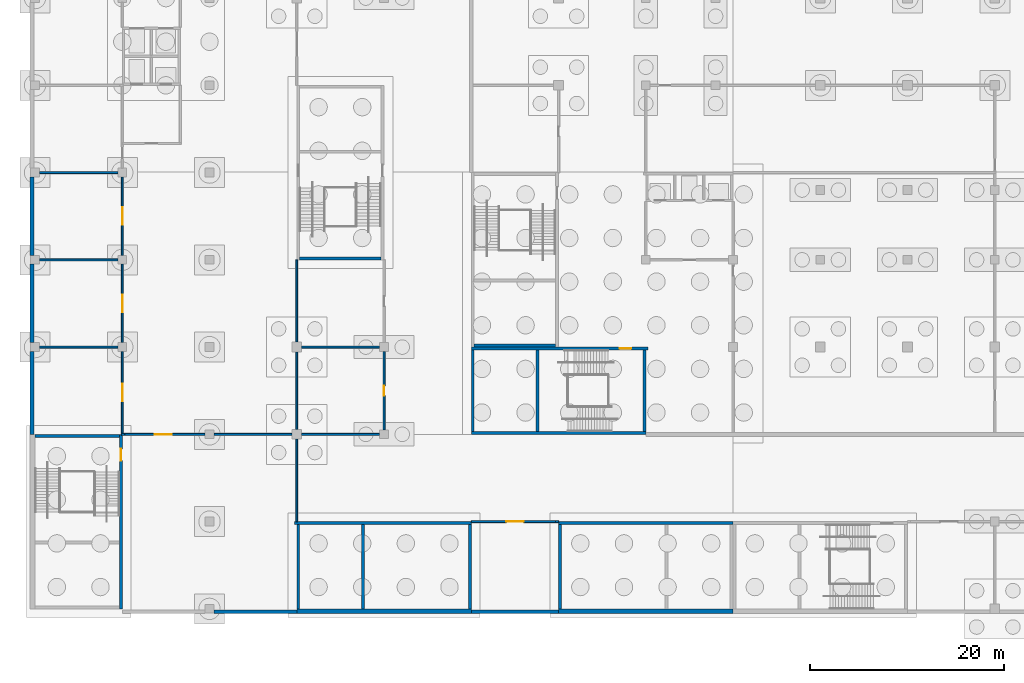
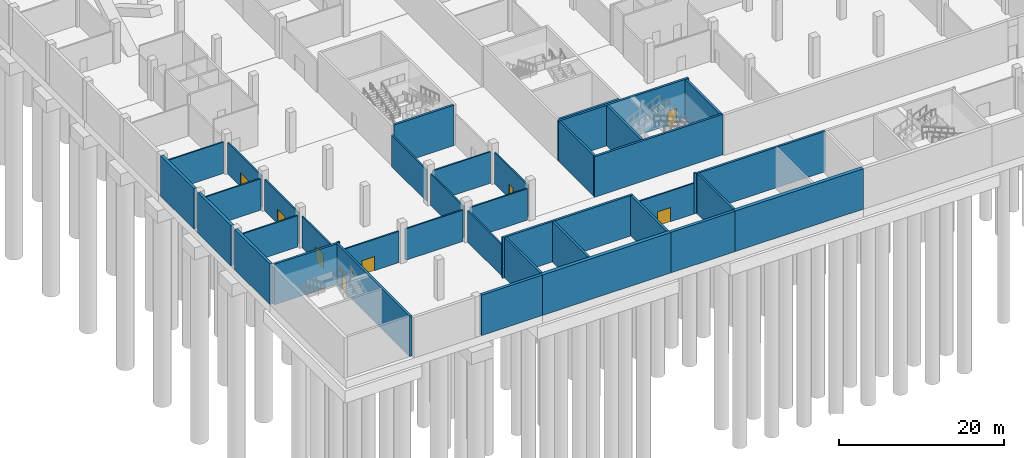
# One storey, part 8 of 42: 39 walls, 8 doors, 8 openings.
"""IFC4 building model written with IfcOpenShell, lengths in metres."""

from ifc_helpers import new_model, si_unit, direction, frame, frame_2d, origin, place, context, subcontext, project, spatial, rectangle, extrude, material, layer, layer_set, type_object, element, fill, save


model = new_model("IFC4")

# Units and contexts
model_context = context("Model", 3, precision=1e-05, world=origin(), true_north=direction((0.0, 1.0)))
body_context = subcontext(model_context, "Body", "Model", "MODEL_VIEW")
ifc_project = project(units=[si_unit("LENGTHUNIT", "METRE"), si_unit("AREAUNIT", "SQUARE_METRE"), si_unit("VOLUMEUNIT", "CUBIC_METRE"), si_unit("PLANEANGLEUNIT", "RADIAN"), si_unit("MASSUNIT", "GRAM", prefix="KILO")], contexts=[model_context])

# Site, building, storey
site_placement = place(None, origin())
site = spatial("IfcSite", under=ifc_project, at=site_placement, CompositionType="ELEMENT")
building_placement = place(site_placement, origin())
building = spatial("IfcBuilding", under=site, at=building_placement, Name="Silverbay Arena", CompositionType="ELEMENT")
storey_placement = place(building_placement, frame((0.0, 0.0, -6.0)))
storey = spatial("IfcBuildingStorey", under=building, at=storey_placement, Name="B1", CompositionType="ELEMENT", Elevation=-6.0)

# Walls
ifc_material_1 = material(Name="Concrete Grade C45", Category="concrete")
ifc_layer_1 = layer(ifc_material_1, 0.39990234375)
ifc_layer_set_1 = layer_set([ifc_layer_1], Name="Concrete Grade C45")
wall_type_1 = type_object("IfcWallType", Name="Basement perimeter wall 400", PredefinedType="SOLIDWALL", material=ifc_layer_set_1)
wall_1_placement = place(storey_placement, frame((45.449951171875, 17.699951171875, 0.0), z_axis=(0.0, 0.0, 1.0), x_axis=(1.0, 0.0, 0.0)))
element("IfcWall", 1, at=wall_1_placement, inside=storey, type_object=wall_type_1, Name="South external wall B1 bay 3", PredefinedType="SOLIDWALL", context=body_context, shape_type="SweptSolid", body=[
    extrude(rectangle(XDim=8.550048828125, YDim=0.39990234375, at=frame_2d((4.27490234375, 0.0))), origin(), (0.0, 0.0, 1.0), 6.0),
])
wall_2_placement = place(storey_placement, frame((72.0, 17.699951171875, 0.0), z_axis=(0.0, 0.0, 1.0), x_axis=(1.0, 0.0, 0.0)))
element("IfcWall", 2, at=wall_2_placement, inside=storey, type_object=wall_type_1, Name="South external wall B1 bay 6", PredefinedType="SOLIDWALL", context=body_context, shape_type="SweptSolid", body=[
    extrude(rectangle(XDim=9.0, YDim=0.39990234375, at=frame_2d((4.5, 0.0))), origin(), (0.0, 0.0, 1.0), 6.0),
])
wall_3_placement = place(storey_placement, frame((26.699951171875, 44.550048828125, 0.0), z_axis=(0.0, 0.0, 1.0), x_axis=(0.0, -1.0, 0.0)))
element("IfcWall", 3, at=wall_3_placement, inside=storey, type_object=wall_type_1, Name="West external wall B1 bay 3", PredefinedType="SOLIDWALL", context=body_context, shape_type="SweptSolid", body=[
    extrude(rectangle(XDim=8.550048828125, YDim=0.39990234375, at=frame_2d((4.27490234375, 0.0))), origin(), (0.0, 0.0, 1.0), 6.0),
])
for number, where, z_axis, x_axis, name in (
    (4, (26.699951171875, 53.550048828125, 0.0), (0.0, 0.0, 1.0), (0.0, -1.0, 0.0), "West external wall B1 bay 4"),
    (5, (26.699951171875, 62.550048828125, 0.0), (0.0, 0.0, 1.0), (0.0, -1.0, 0.0), "West external wall B1 bay 5"),
):
    element("IfcWall", number, at=place(storey_placement, frame(where, z_axis=z_axis, x_axis=x_axis)), inside=storey, type_object=wall_type_1, Name=name, PredefinedType="SOLIDWALL", context=body_context, shape_type="SweptSolid", body=[
        extrude(rectangle(XDim=8.10009765625, YDim=0.39990234375, at=frame_2d((4.050048828125, 0.0))), origin(), (0.0, 0.0, 1.0), 6.0),
    ])
ifc_material_2 = material(Name="Concrete Grade C45", Category="concrete")
ifc_layer_2 = layer(ifc_material_2, 0.300048828125)
ifc_layer_set_2 = layer_set([ifc_layer_2], Name="Concrete Grade C45")
wall_type_2 = type_object("IfcWallType", Name="Core wall RC 300 EI 240", PredefinedType="SHEAR", material=ifc_layer_set_2)
wall_4_placement = place(storey_placement, frame((81.0, 26.85009765625, 0.0), z_axis=(0.0, 0.0, 1.0), x_axis=(1.0, 0.0, 0.0)))
element("IfcWall", 6, at=wall_4_placement, inside=storey, type_object=wall_type_2, Name="Core wall ST-S1 B1 door side", PredefinedType="SHEAR", context=body_context, shape_type="SweptSolid", body=[
    extrude(rectangle(XDim=18.0, YDim=0.300048828125, at=frame_2d((9.0, 0.0))), origin(), (0.0, 0.0, 1.0), 6.0),
])
wall_5_placement = place(storey_placement, frame((81.14990234375, 26.699951171875, 0.0), z_axis=(0.0, 0.0, 1.0), x_axis=(0.0, -1.0, 0.0)))
element("IfcWall", 7, at=wall_5_placement, inside=storey, type_object=wall_type_2, Name="Core wall ST-S1 B1 end 1", PredefinedType="SHEAR", context=body_context, shape_type="SweptSolid", body=[
    extrude(rectangle(XDim=8.699951171875, YDim=0.300048828125, at=frame_2d((4.35009765625, 0.0))), origin(), (0.0, 0.0, 1.0), 6.0),
])
wall_6_placement = place(storey_placement, frame((72.0, 26.85009765625, 0.0), z_axis=(0.0, 0.0, 1.0), x_axis=(-1.0, 0.0, 0.0)))
element("IfcWall", 8, at=wall_6_placement, inside=storey, type_object=wall_type_2, Name="Core wall ST-S5 B1 door side", PredefinedType="SHEAR", context=body_context, shape_type="SweptSolid", body=[
    extrude(rectangle(XDim=18.25, YDim=0.300048828125, at=frame_2d((9.125, 0.0))), origin(), (0.0, 0.0, 1.0), 6.0),
])
for number, where, z_axis, x_axis, name in (
    (9, (71.85009765625, 26.699951171875, 0.0), (0.0, 0.0, 1.0), (0.0, -1.0, 0.0), "Core wall ST-S5 B1 end 1"),
    (10, (54.14990234375, 26.699951171875, 0.0), (0.0, 0.0, 1.0), (0.0, -1.0, 0.0), "Core wall ST-S5 B1 end 2"),
    (11, (60.85009765625, 26.699951171875, 0.0), (0.0, 0.0, 1.0), (0.0, -1.0, 0.0), "Core wall ST-S5 B1 stair enclosure"),
):
    element("IfcWall", number, at=place(storey_placement, frame(where, z_axis=z_axis, x_axis=x_axis)), inside=storey, type_object=wall_type_2, Name=name, PredefinedType="SHEAR", context=body_context, shape_type="SweptSolid", body=[
        extrude(rectangle(XDim=8.699951171875, YDim=0.300048828125, at=frame_2d((4.35009765625, 0.0))), origin(), (0.0, 0.0, 1.0), 6.0),
    ])
wall_7_placement = place(storey_placement, frame((62.699951171875, 54.14990234375, 0.0), z_axis=(0.0, 0.0, 1.0), x_axis=(-1.0, 0.0, 0.0)))
element("IfcWall", 12, at=wall_7_placement, inside=storey, type_object=wall_type_2, Name="Core wall ST-W1 B1 end 1", PredefinedType="SHEAR", context=body_context, shape_type="SweptSolid", body=[
    extrude(rectangle(XDim=8.39990234375, YDim=0.300048828125, at=frame_2d((4.199951171875, 0.0))), origin(), (0.0, 0.0, 1.0), 6.0),
])

# Wall, opening, door
wall_8_placement = place(storey_placement, frame((90.25, 44.85009765625, 0.0), z_axis=(0.0, 0.0, 1.0), x_axis=(-1.0, 0.0, 0.0)))
wall_8 = element("IfcWall", 13, at=wall_8_placement, inside=storey, type_object=wall_type_2, Name="Core wall ST-SW1 B1 door side", PredefinedType="SHEAR", context=body_context, shape_type="SweptSolid", body=[
    extrude(rectangle(XDim=18.25, YDim=0.300048828125, at=frame_2d((9.125, 0.0))), origin(), (0.0, 0.0, 1.0), 6.0),
])
opening_1_placement = place(wall_8_placement, frame((1.75, 0.0, 0.0)))
opening_1 = element("IfcOpeningElement", 14, at=opening_1_placement, cuts=wall_8, Name="Opening B1-088", PredefinedType="OPENING", context=body_context, shape_type="SweptSolid", body=[
    extrude(rectangle(XDim=1.199951171875, YDim=2.10009765625, at=frame_2d((0.60009765625, 1.050048828125))), frame((0.0, 0.16015625, 0.0), z_axis=(0.0, -1.0, 0.0), x_axis=(1.0, 0.0, 0.0)), (0.0, 0.0, 1.0), 0.320068359375),
])
ifc_material_3 = material(Name="Steel fire door", Category="steel")
door_type_1 = type_object("IfcDoorType", Name="Stair door 1200 x 2100 fire door", OperationType="SINGLE_SWING_LEFT", PredefinedType="DOOR", material=ifc_material_3)
door_1_placement = place(opening_1_placement, origin())
door_1 = element("IfcDoor", 15, at=door_1_placement, inside=storey, type_object=door_type_1, Name="Stair door ST-SW1 B1", OperationType="SINGLE_SWING_LEFT", OverallHeight=2.10009765625, OverallWidth=1.199951171875, PredefinedType="DOOR", context=body_context, shape_type="SweptSolid", body=[
    extrude(rectangle(XDim=1.199951171875, YDim=2.10009765625, at=frame_2d((0.60009765625, 1.050048828125))), frame((0.0, 0.02490234375, 0.0), z_axis=(0.0, -1.0, 0.0), x_axis=(1.0, 0.0, 0.0)), (0.0, 0.0, 1.0), 0.050048828125),
])
fill(opening_1, door_1)

# Walls
wall_9_placement = place(storey_placement, frame((90.0, 36.14990234375, 0.0), z_axis=(0.0, 0.0, 1.0), x_axis=(-1.0, 0.0, 0.0)))
element("IfcWall", 16, at=wall_9_placement, inside=storey, type_object=wall_type_2, Name="Core wall ST-SW1 B1 far side", PredefinedType="SHEAR", context=body_context, shape_type="SweptSolid", body=[
    extrude(rectangle(XDim=18.0, YDim=0.300048828125, at=frame_2d((9.0, 0.0))), origin(), (0.0, 0.0, 1.0), 6.0),
])
for number, where, z_axis, x_axis, name in (
    (17, (89.85009765625, 44.699951171875, 0.0), (0.0, 0.0, 1.0), (0.0, -1.0, 0.0), "Core wall ST-SW1 B1 end 1"),
    (18, (72.14990234375, 44.699951171875, 0.0), (0.0, 0.0, 1.0), (0.0, -1.0, 0.0), "Core wall ST-SW1 B1 end 2"),
    (19, (78.85009765625, 44.699951171875, 0.0), (0.0, 0.0, 1.0), (0.0, -1.0, 0.0), "Core wall ST-SW1 B1 stair enclosure"),
    (20, (80.699951171875, 45.14990234375, 0.0), (0.0, 0.0, 1.0), (-1.0, 0.0, 0.0), "Core wall ST-SW2 B1 end 2"),
):
    element("IfcWall", number, at=place(storey_placement, frame(where, z_axis=z_axis, x_axis=x_axis)), inside=storey, type_object=wall_type_2, Name=name, PredefinedType="SHEAR", context=body_context, shape_type="SweptSolid", body=[
        extrude(rectangle(XDim=8.39990234375, YDim=0.300048828125, at=frame_2d((4.199951171875, 0.0))), origin(), (0.0, 0.0, 1.0), 6.0),
    ])

# Wall, opening, door
wall_10_placement = place(storey_placement, frame((35.85009765625, 36.0, 0.0), z_axis=(0.0, 0.0, 1.0), x_axis=(0.0, -1.0, 0.0)))
wall_10 = element("IfcWall", 21, at=wall_10_placement, inside=storey, type_object=wall_type_2, Name="Core wall ST-WG1 B1 door side", PredefinedType="SHEAR", context=body_context, shape_type="SweptSolid", body=[
    extrude(rectangle(XDim=18.0, YDim=0.300048828125, at=frame_2d((9.0, 0.0))), origin(), (0.0, 0.0, 1.0), 6.0),
])
opening_2_placement = place(wall_10_placement, frame((1.5, 0.0, 0.0)))
opening_2 = element("IfcOpeningElement", 22, at=opening_2_placement, cuts=wall_10, Name="Opening B1-096", PredefinedType="OPENING", context=body_context, shape_type="SweptSolid", body=[
    extrude(rectangle(XDim=1.199951171875, YDim=2.10009765625, at=frame_2d((0.60009765625, 1.050048828125))), frame((0.0, 0.16015625, 0.0), z_axis=(0.0, -1.0, 0.0), x_axis=(1.0, 0.0, 0.0)), (0.0, 0.0, 1.0), 0.320068359375),
])
door_2_placement = place(opening_2_placement, frame((1.199951171875, 0.0, 0.0), z_axis=(0.0, 0.0, 1.0), x_axis=(-1.0, 0.0, 0.0)))
door_2 = element("IfcDoor", 23, at=door_2_placement, inside=storey, type_object=door_type_1, Name="Stair door ST-WG1 B1", OperationType="SINGLE_SWING_RIGHT", OverallHeight=2.10009765625, OverallWidth=1.199951171875, PredefinedType="DOOR", context=body_context, shape_type="SweptSolid", body=[
    extrude(rectangle(XDim=1.199951171875, YDim=2.10009765625, at=frame_2d((0.60009765625, 1.050048828125))), frame((0.0, 0.02490234375, 0.0), z_axis=(0.0, -1.0, 0.0), x_axis=(1.0, 0.0, 0.0)), (0.0, 0.0, 1.0), 0.050048828125),
])
fill(opening_2, door_2)

# Walls
wall_11_placement = place(storey_placement, frame((35.699951171875, 35.85009765625, 0.0), z_axis=(0.0, 0.0, 1.0), x_axis=(-1.0, 0.0, 0.0)))
element("IfcWall", 24, at=wall_11_placement, inside=storey, type_object=wall_type_2, Name="Core wall ST-WG1 B1 end 1", PredefinedType="SHEAR", context=body_context, shape_type="SweptSolid", body=[
    extrude(rectangle(XDim=8.699951171875, YDim=0.300048828125, at=frame_2d((4.35009765625, 0.0))), origin(), (0.0, 0.0, 1.0), 6.0),
])
ifc_material_4 = material(Name="Concrete Grade C45", Category="concrete")
ifc_layer_3 = layer(ifc_material_4, 0.5)
ifc_layer_set_3 = layer_set([ifc_layer_3], Name="Concrete Grade C45")
wall_type_3 = type_object("IfcWallType", Name="Core wall RC 500 external EI 240", PredefinedType="SHEAR", material=ifc_layer_set_3)
for number, where, z_axis, x_axis, name in (
    (25, (81.0, 17.75, 0.0), (0.0, 0.0, 1.0), (1.0, 0.0, 0.0), "Core wall ST-S1 B1 facade side"),
    (26, (72.0, 17.75, 0.0), (0.0, 0.0, 1.0), (-1.0, 0.0, 0.0), "Core wall ST-S5 B1 facade side"),
):
    element("IfcWall", number, at=place(storey_placement, frame(where, z_axis=z_axis, x_axis=x_axis)), inside=storey, type_object=wall_type_3, Name=name, PredefinedType="SHEAR", context=body_context, shape_type="SweptSolid", body=[
        extrude(rectangle(XDim=18.0, YDim=0.5, at=frame_2d((9.0, 0.0))), origin(), (0.0, 0.0, 1.0), 6.0),
    ])

# Wall, opening, door
ifc_material_5 = material(Name="Masonry blockwork partition", Category="masonry")
ifc_layer_4 = layer(ifc_material_5, 0.199951171875)
ifc_layer_set_4 = layer_set([ifc_layer_4], Name="Masonry blockwork partition")
wall_type_4 = type_object("IfcWallType", Name="Partition 200 EI 240", PredefinedType="PARTITIONING", material=ifc_layer_set_4)
wall_12_placement = place(storey_placement, frame((72.0, 27.0, 0.0), z_axis=(0.0, 0.0, 1.0), x_axis=(1.0, 0.0, 0.0)))
wall_12 = element("IfcWall", 27, at=wall_12_placement, inside=storey, type_object=wall_type_4, Name="Partition wall", PredefinedType="PARTITIONING", context=body_context, shape_type="SweptSolid", body=[
    extrude(rectangle(XDim=8.699951171875, YDim=0.199951171875, at=frame_2d((4.35009765625, 0.0))), origin(), (0.0, 0.0, 1.0), 4.550048828125),
])
opening_3_placement = place(wall_12_placement, frame((3.60009765625, 0.0, 0.0)))
opening_3 = element("IfcOpeningElement", 28, at=opening_3_placement, cuts=wall_12, Name="Opening B1-001", PredefinedType="OPENING", context=body_context, shape_type="SweptSolid", body=[
    extrude(rectangle(XDim=1.800048828125, YDim=2.10009765625, at=frame_2d((0.89990234375, 1.050048828125))), frame((0.0, 0.10986328125, 0.0), z_axis=(0.0, -1.0, 0.0), x_axis=(1.0, 0.0, 0.0)), (0.0, 0.0, 1.0), 0.219970703125),
])
ifc_material_6 = material(Name="Steel faced timber", Category="steel")
door_type_2 = type_object("IfcDoorType", Name="Double leaf door 1800 x 2100 FD120", OperationType="DOUBLE_DOOR_DOUBLE_SWING", PredefinedType="DOOR", material=ifc_material_6)
door_3_placement = place(opening_3_placement, frame((1.800048828125, 0.0, 0.0), z_axis=(0.0, 0.0, 1.0), x_axis=(-1.0, 0.0, 0.0)))
door_3 = element("IfcDoor", 29, at=door_3_placement, inside=storey, type_object=door_type_2, Name="Door B1-001", OperationType="DOUBLE_DOOR_DOUBLE_SWING", OverallHeight=2.10009765625, OverallWidth=1.800048828125, PredefinedType="DOOR", context=body_context, shape_type="SweptSolid", body=[
    extrude(rectangle(XDim=1.800048828125, YDim=2.10009765625, at=frame_2d((0.89990234375, 1.050048828125))), frame((0.0, 0.02490234375, 0.0), z_axis=(0.0, -1.0, 0.0), x_axis=(1.0, 0.0, 0.0)), (0.0, 0.0, 1.0), 0.050048828125),
])
fill(opening_3, door_3)

# Wall
wall_13_placement = place(storey_placement, frame((45.449951171875, 36.0, 0.0), z_axis=(0.0, 0.0, 1.0), x_axis=(1.0, 0.0, 0.0)))
element("IfcWall", 30, at=wall_13_placement, inside=storey, type_object=wall_type_4, Name="Partition wall", PredefinedType="PARTITIONING", context=body_context, shape_type="SweptSolid", body=[
    extrude(rectangle(XDim=8.050048828125, YDim=0.199951171875, at=frame_2d((4.02490234375, 0.0))), origin(), (0.0, 0.0, 1.0), 4.64990234375),
])

# Wall, opening, door
wall_14_placement = place(storey_placement, frame((36.25, 36.0, 0.0), z_axis=(0.0, 0.0, 1.0), x_axis=(1.0, 0.0, 0.0)))
wall_14 = element("IfcWall", 31, at=wall_14_placement, inside=storey, type_object=wall_type_4, Name="Partition wall", PredefinedType="PARTITIONING", context=body_context, shape_type="SweptSolid", body=[
    extrude(rectangle(XDim=8.300048828125, YDim=0.199951171875, at=frame_2d((4.14990234375, 0.0))), origin(), (0.0, 0.0, 1.0), 4.64990234375),
])
opening_4_placement = place(wall_14_placement, frame((3.074951171875, 0.0, 0.0)))
opening_4 = element("IfcOpeningElement", 32, at=opening_4_placement, cuts=wall_14, Name="Opening B1-060", PredefinedType="OPENING", context=body_context, shape_type="SweptSolid", body=[
    extrude(rectangle(XDim=1.800048828125, YDim=2.10009765625, at=frame_2d((0.89990234375, 1.050048828125))), frame((0.0, 0.10986328125, 0.0), z_axis=(0.0, -1.0, 0.0), x_axis=(1.0, 0.0, 0.0)), (0.0, 0.0, 1.0), 0.219970703125),
])
ifc_material_7 = material(Name="Steel faced timber", Category="steel")
door_type_3 = type_object("IfcDoorType", Name="Double leaf door 1800 x 2100 FD240", OperationType="DOUBLE_DOOR_DOUBLE_SWING", PredefinedType="DOOR", material=ifc_material_7)
door_4_placement = place(opening_4_placement, frame((1.800048828125, 0.0, 0.0), z_axis=(0.0, 0.0, 1.0), x_axis=(-1.0, 0.0, 0.0)))
door_4 = element("IfcDoor", 33, at=door_4_placement, inside=storey, type_object=door_type_3, Name="Door B1-060", OperationType="DOUBLE_DOOR_DOUBLE_SWING", OverallHeight=2.10009765625, OverallWidth=1.800048828125, PredefinedType="DOOR", context=body_context, shape_type="SweptSolid", body=[
    extrude(rectangle(XDim=1.800048828125, YDim=2.10009765625, at=frame_2d((0.89990234375, 1.050048828125))), frame((0.0, 0.02490234375, 0.0), z_axis=(0.0, -1.0, 0.0), x_axis=(1.0, 0.0, 0.0)), (0.0, 0.0, 1.0), 0.050048828125),
])
fill(opening_4, door_4)

# Walls
wall_15_placement = place(storey_placement, frame((54.5, 36.0, 0.0), z_axis=(0.0, 0.0, 1.0), x_axis=(1.0, 0.0, 0.0)))
element("IfcWall", 34, at=wall_15_placement, inside=storey, type_object=wall_type_4, Name="Partition wall", PredefinedType="PARTITIONING", context=body_context, shape_type="SweptSolid", body=[
    extrude(rectangle(XDim=8.050048828125, YDim=0.199951171875, at=frame_2d((4.02490234375, 0.0))), origin(), (0.0, 0.0, 1.0), 4.64990234375),
])
wall_16_placement = place(storey_placement, frame((27.449951171875, 45.0, 0.0), z_axis=(0.0, 0.0, 1.0), x_axis=(1.0, 0.0, 0.0)))
element("IfcWall", 35, at=wall_16_placement, inside=storey, type_object=wall_type_4, Name="Partition wall", PredefinedType="PARTITIONING", context=body_context, shape_type="SweptSolid", body=[
    extrude(rectangle(XDim=8.10009765625, YDim=0.199951171875, at=frame_2d((4.050048828125, 0.0))), origin(), (0.0, 0.0, 1.0), 4.64990234375),
])
wall_17_placement = place(storey_placement, frame((54.5, 45.0, 0.0), z_axis=(0.0, 0.0, 1.0), x_axis=(1.0, 0.0, 0.0)))
element("IfcWall", 36, at=wall_17_placement, inside=storey, type_object=wall_type_4, Name="Partition wall", PredefinedType="PARTITIONING", context=body_context, shape_type="SweptSolid", body=[
    extrude(rectangle(XDim=8.050048828125, YDim=0.199951171875, at=frame_2d((4.02490234375, 0.0))), origin(), (0.0, 0.0, 1.0), 4.64990234375),
])
for number, where, z_axis, x_axis, name in (
    (37, (27.449951171875, 54.0, 0.0), (0.0, 0.0, 1.0), (1.0, 0.0, 0.0), "Partition wall"),
    (38, (27.449951171875, 63.0, 0.0), (0.0, 0.0, 1.0), (1.0, 0.0, 0.0), "Partition wall"),
):
    element("IfcWall", number, at=place(storey_placement, frame(where, z_axis=z_axis, x_axis=x_axis)), inside=storey, type_object=wall_type_4, Name=name, PredefinedType="PARTITIONING", context=body_context, shape_type="SweptSolid", body=[
        extrude(rectangle(XDim=8.10009765625, YDim=0.199951171875, at=frame_2d((4.050048828125, 0.0))), origin(), (0.0, 0.0, 1.0), 4.64990234375),
    ])

# Wall, opening, door
wall_18_placement = place(storey_placement, frame((36.0, 36.10009765625, 0.0), z_axis=(0.0, 0.0, 1.0), x_axis=(0.0, 1.0, 0.0)))
wall_18 = element("IfcWall", 39, at=wall_18_placement, inside=storey, type_object=wall_type_4, Name="Partition wall", PredefinedType="PARTITIONING", context=body_context, shape_type="SweptSolid", body=[
    extrude(rectangle(XDim=8.449951171875, YDim=0.199951171875, at=frame_2d((4.22509765625, 0.0))), origin(), (0.0, 0.0, 1.0), 4.64990234375),
])
opening_5_placement = place(wall_18_placement, frame((3.324951171875, 0.0, 0.0)))
opening_5 = element("IfcOpeningElement", 40, at=opening_5_placement, cuts=wall_18, Name="Opening B1-021", PredefinedType="OPENING", context=body_context, shape_type="SweptSolid", body=[
    extrude(rectangle(XDim=1.800048828125, YDim=2.10009765625, at=frame_2d((0.89990234375, 1.050048828125))), frame((0.0, 0.10986328125, 0.0), z_axis=(0.0, -1.0, 0.0), x_axis=(1.0, 0.0, 0.0)), (0.0, 0.0, 1.0), 0.219970703125),
])
ifc_material_8 = material(Name="Steel faced timber", Category="steel")
door_type_4 = type_object("IfcDoorType", Name="Double leaf door 1800 x 2100 FD30S", OperationType="DOUBLE_DOOR_DOUBLE_SWING", PredefinedType="DOOR", material=ifc_material_8)
door_5_placement = place(opening_5_placement, origin())
door_5 = element("IfcDoor", 41, at=door_5_placement, inside=storey, type_object=door_type_4, Name="Door B1-021", OperationType="DOUBLE_DOOR_DOUBLE_SWING", OverallHeight=2.10009765625, OverallWidth=1.800048828125, PredefinedType="DOOR", context=body_context, shape_type="SweptSolid", body=[
    extrude(rectangle(XDim=1.800048828125, YDim=2.10009765625, at=frame_2d((0.89990234375, 1.050048828125))), frame((0.0, 0.02490234375, 0.0), z_axis=(0.0, -1.0, 0.0), x_axis=(1.0, 0.0, 0.0)), (0.0, 0.0, 1.0), 0.050048828125),
])
fill(opening_5, door_5)

wall_19_placement = place(storey_placement, frame((36.0, 45.449951171875, 0.0), z_axis=(0.0, 0.0, 1.0), x_axis=(0.0, 1.0, 0.0)))
wall_19 = element("IfcWall", 42, at=wall_19_placement, inside=storey, type_object=wall_type_4, Name="Partition wall", PredefinedType="PARTITIONING", context=body_context, shape_type="SweptSolid", body=[
    extrude(rectangle(XDim=8.10009765625, YDim=0.199951171875, at=frame_2d((4.050048828125, 0.0))), origin(), (0.0, 0.0, 1.0), 4.64990234375),
])
opening_6_placement = place(wall_19_placement, frame((3.14990234375, 0.0, 0.0)))
opening_6 = element("IfcOpeningElement", 43, at=opening_6_placement, cuts=wall_19, Name="Opening B1-022", PredefinedType="OPENING", context=body_context, shape_type="SweptSolid", body=[
    extrude(rectangle(XDim=1.800048828125, YDim=2.10009765625, at=frame_2d((0.89990234375, 1.050048828125))), frame((0.0, 0.10986328125, 0.0), z_axis=(0.0, -1.0, 0.0), x_axis=(1.0, 0.0, 0.0)), (0.0, 0.0, 1.0), 0.219970703125),
])
door_6_placement = place(opening_6_placement, origin())
door_6 = element("IfcDoor", 44, at=door_6_placement, inside=storey, type_object=door_type_4, Name="Door B1-022", OperationType="DOUBLE_DOOR_DOUBLE_SWING", OverallHeight=2.10009765625, OverallWidth=1.800048828125, PredefinedType="DOOR", context=body_context, shape_type="SweptSolid", body=[
    extrude(rectangle(XDim=1.800048828125, YDim=2.10009765625, at=frame_2d((0.89990234375, 1.050048828125))), frame((0.0, 0.02490234375, 0.0), z_axis=(0.0, -1.0, 0.0), x_axis=(1.0, 0.0, 0.0)), (0.0, 0.0, 1.0), 0.050048828125),
])
fill(opening_6, door_6)

wall_20_placement = place(storey_placement, frame((36.0, 54.449951171875, 0.0), z_axis=(0.0, 0.0, 1.0), x_axis=(0.0, 1.0, 0.0)))
wall_20 = element("IfcWall", 45, at=wall_20_placement, inside=storey, type_object=wall_type_4, Name="Partition wall", PredefinedType="PARTITIONING", context=body_context, shape_type="SweptSolid", body=[
    extrude(rectangle(XDim=8.10009765625, YDim=0.199951171875, at=frame_2d((4.050048828125, 0.0))), origin(), (0.0, 0.0, 1.0), 4.64990234375),
])
opening_7_placement = place(wall_20_placement, frame((3.14990234375, 0.0, 0.0)))
opening_7 = element("IfcOpeningElement", 46, at=opening_7_placement, cuts=wall_20, Name="Opening B1-023", PredefinedType="OPENING", context=body_context, shape_type="SweptSolid", body=[
    extrude(rectangle(XDim=1.800048828125, YDim=2.10009765625, at=frame_2d((0.89990234375, 1.050048828125))), frame((0.0, 0.10986328125, 0.0), z_axis=(0.0, -1.0, 0.0), x_axis=(1.0, 0.0, 0.0)), (0.0, 0.0, 1.0), 0.219970703125),
])
door_7_placement = place(opening_7_placement, origin())
door_7 = element("IfcDoor", 47, at=door_7_placement, inside=storey, type_object=door_type_4, Name="Door B1-023", OperationType="DOUBLE_DOOR_DOUBLE_SWING", OverallHeight=2.10009765625, OverallWidth=1.800048828125, PredefinedType="DOOR", context=body_context, shape_type="SweptSolid", body=[
    extrude(rectangle(XDim=1.800048828125, YDim=2.10009765625, at=frame_2d((0.89990234375, 1.050048828125))), frame((0.0, 0.02490234375, 0.0), z_axis=(0.0, -1.0, 0.0), x_axis=(1.0, 0.0, 0.0)), (0.0, 0.0, 1.0), 0.050048828125),
])
fill(opening_7, door_7)

# Walls
wall_21_placement = place(storey_placement, frame((54.0, 27.0, 0.0), z_axis=(0.0, 0.0, 1.0), x_axis=(0.0, 1.0, 0.0)))
element("IfcWall", 48, at=wall_21_placement, inside=storey, type_object=wall_type_4, Name="Partition wall", PredefinedType="PARTITIONING", context=body_context, shape_type="SweptSolid", body=[
    extrude(rectangle(XDim=8.5, YDim=0.199951171875, at=frame_2d((4.25, 0.0))), origin(), (0.0, 0.0, 1.0), 4.64990234375),
])
wall_22_placement = place(storey_placement, frame((54.0, 36.5, 0.0), z_axis=(0.0, 0.0, 1.0), x_axis=(0.0, 1.0, 0.0)))
element("IfcWall", 49, at=wall_22_placement, inside=storey, type_object=wall_type_4, Name="Partition wall", PredefinedType="PARTITIONING", context=body_context, shape_type="SweptSolid", body=[
    extrude(rectangle(XDim=8.0, YDim=0.199951171875, at=frame_2d((4.0, 0.0))), origin(), (0.0, 0.0, 1.0), 4.64990234375),
])
wall_23_placement = place(storey_placement, frame((54.0, 45.5, 0.0), z_axis=(0.0, 0.0, 1.0), x_axis=(0.0, 1.0, 0.0)))
element("IfcWall", 50, at=wall_23_placement, inside=storey, type_object=wall_type_4, Name="Partition wall", PredefinedType="PARTITIONING", context=body_context, shape_type="SweptSolid", body=[
    extrude(rectangle(XDim=8.5, YDim=0.199951171875, at=frame_2d((4.25, 0.0))), origin(), (0.0, 0.0, 1.0), 4.64990234375),
])

# Wall, opening, door
wall_24_placement = place(storey_placement, frame((63.0, 36.449951171875, 0.0), z_axis=(0.0, 0.0, 1.0), x_axis=(0.0, 1.0, 0.0)))
wall_24 = element("IfcWall", 51, at=wall_24_placement, inside=storey, type_object=wall_type_4, Name="Partition wall", PredefinedType="PARTITIONING", context=body_context, shape_type="SweptSolid", body=[
    extrude(rectangle(XDim=8.10009765625, YDim=0.199951171875, at=frame_2d((4.050048828125, 0.0))), origin(), (0.0, 0.0, 1.0), 4.64990234375),
])
opening_8_placement = place(wall_24_placement, frame((3.550048828125, 0.0, 0.0)))
opening_8 = element("IfcOpeningElement", 52, at=opening_8_placement, cuts=wall_24, Name="Opening B1-011", PredefinedType="OPENING", context=body_context, shape_type="SweptSolid", body=[
    extrude(rectangle(XDim=1.0, YDim=2.10009765625, at=frame_2d((0.5, 1.050048828125))), frame((0.0, 0.10986328125, 0.0), z_axis=(0.0, -1.0, 0.0), x_axis=(1.0, 0.0, 0.0)), (0.0, 0.0, 1.0), 0.219970703125),
])
ifc_material_9 = material(Name="Steel faced timber", Category="steel")
door_type_5 = type_object("IfcDoorType", Name="Single leaf door 1000 x 2100 FD30S", OperationType="SINGLE_SWING_LEFT", PredefinedType="DOOR", material=ifc_material_9)
door_8_placement = place(opening_8_placement, origin())
door_8 = element("IfcDoor", 53, at=door_8_placement, inside=storey, type_object=door_type_5, Name="Door B1-011", OperationType="SINGLE_SWING_LEFT", OverallHeight=2.10009765625, OverallWidth=1.0, PredefinedType="DOOR", context=body_context, shape_type="SweptSolid", body=[
    extrude(rectangle(XDim=1.0, YDim=2.10009765625, at=frame_2d((0.5, 1.050048828125))), frame((0.0, 0.02490234375, 0.0), z_axis=(0.0, -1.0, 0.0), x_axis=(1.0, 0.0, 0.0)), (0.0, 0.0, 1.0), 0.050048828125),
])
fill(opening_8, door_8)

# Walls
wall_25_placement = place(storey_placement, frame((80.699951171875, 27.0, 0.0), z_axis=(0.0, 0.0, 1.0), x_axis=(1.0, 0.0, 0.0)))
element("IfcWall", 54, at=wall_25_placement, inside=storey, type_object=wall_type_4, Name="Partition wall", PredefinedType="PARTITIONING", context=body_context, shape_type="SweptSolid", body=[
    extrude(rectangle(XDim=0.300048828125, YDim=0.199951171875, at=frame_2d((0.14990234375, 0.0))), origin(), (0.0, 0.0, 1.0), 6.0),
])
wall_26_placement = place(storey_placement, frame((35.89990234375, 36.0, 0.0), z_axis=(0.0, 0.0, 1.0), x_axis=(1.0, 0.0, 0.0)))
element("IfcWall", 55, at=wall_26_placement, inside=storey, type_object=wall_type_4, Name="Partition wall", PredefinedType="PARTITIONING", context=body_context, shape_type="SweptSolid", body=[
    extrude(rectangle(XDim=0.35009765625, YDim=0.199951171875, at=frame_2d((0.175048828125, 0.0))), origin(), (0.0, 0.0, 1.0), 6.0),
])

save(model, "model.ifc")
